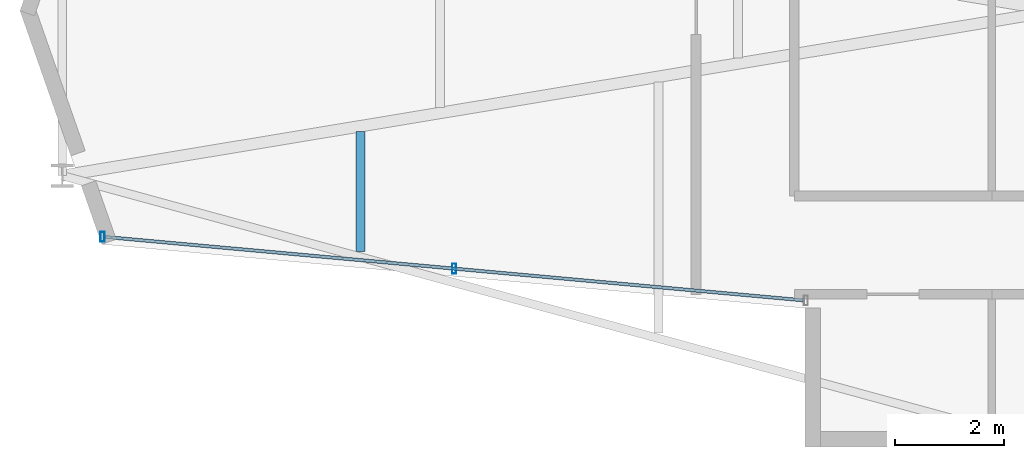
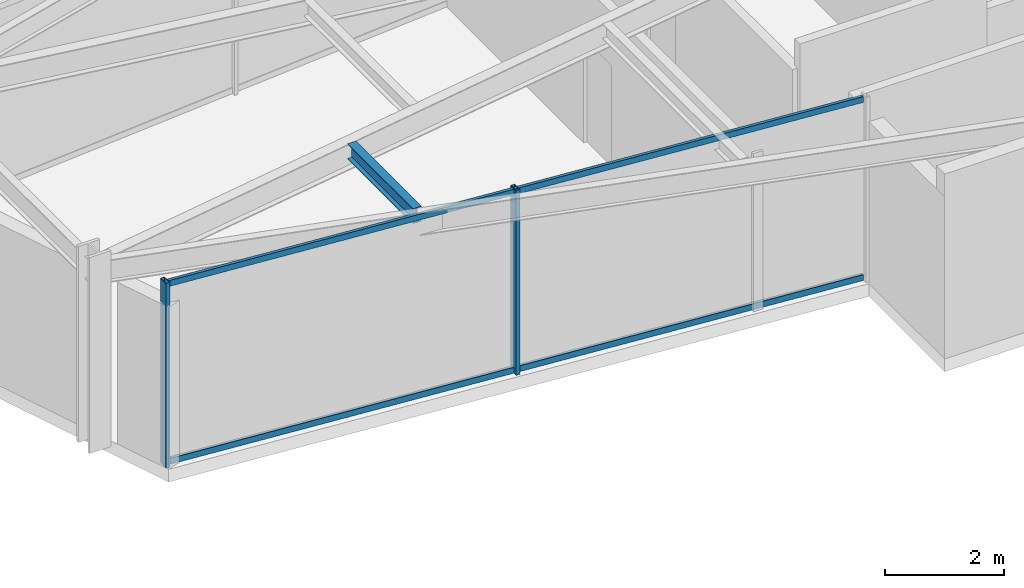
# One storey, part 2 of 23: 4 members, 1 beam, 1 element without a shape of its own.
"""IFC4 building model written with IfcOpenShell, lengths in metres."""

from ifc_helpers import new_model, si_unit, direction, frame, origin, origin_2d, place, context, subcontext, project, spatial, hollow_rectangle, i_section, extrude, material, layer, layer_set, material_profile, profile_set, type_object, element, aggregate, save


model = new_model("IFC4")

# Units and contexts
model_context = context("Model", 3, precision=1e-05, world=origin(), true_north=direction((0.0, 1.0)))
body_context = subcontext(model_context, "Body", "Model", "MODEL_VIEW")
ifc_project = project(units=[si_unit("LENGTHUNIT", "METRE"), si_unit("AREAUNIT", "SQUARE_METRE"), si_unit("VOLUMEUNIT", "CUBIC_METRE"), si_unit("PLANEANGLEUNIT", "RADIAN"), si_unit("MASSUNIT", "GRAM", prefix="KILO")], contexts=[model_context])

# Site, building, storey
site_placement = place(None, origin())
site = spatial("IfcSite", under=ifc_project, at=site_placement, CompositionType="ELEMENT")
building_placement = place(site_placement, origin())
building = spatial("IfcBuilding", under=site, at=building_placement, Name="Veymaron Broadcast Tower", CompositionType="ELEMENT")
storey_placement = place(building_placement, frame((0.0, 0.0, 195.89990234375)))
storey = spatial("IfcBuildingStorey", under=building, at=storey_placement, Name="L45", CompositionType="ELEMENT", Elevation=195.89990234375)

# Beam
ifc_material_1 = material(Name="Structural steel ASTM A992 Gr 50", Category="steel")
ifc_material_profile_1 = material_profile(ifc_material_1, i_section(OverallWidth=0.1650390625, OverallDepth=0.31005859375, WebThickness=0.005859375, FlangeThickness=0.009765625, at=origin_2d()), Name="W310X39")
ifc_profile_set_1 = profile_set([ifc_material_profile_1], Name="Structural steel ASTM A992 Gr 50")
beam_type = type_object("IfcBeamType", Name="BM-JS3", PredefinedType="JOIST", material=ifc_profile_set_1)
beam_placement = place(storey_placement, frame((18.4423828125, 19.58251953125, 3.635009765625), z_axis=(0.0, 1.0, 0.0), x_axis=(-1.0, 0.0, 0.0)))
element("IfcBeam", 1, at=beam_placement, inside=storey, type_object=beam_type, Name="L45 Arm-A secondary joist 1S", PredefinedType="JOIST", context=body_context, shape_type="SweptSolid", body=[
    extrude(i_section(OverallWidth=0.1650390625, OverallDepth=0.31005859375, WebThickness=0.005859375, FlangeThickness=0.009765625, at=origin_2d()), origin(), (0.0, 0.0, 1.0), 2.199951171875),
])

# Curtain wall, members
ifc_material_2 = material(Name="Anodised aluminium AA 6063-T6 and laminated low-E dark glass", Category="aluminium")
ifc_layer = layer(ifc_material_2, 0.179931640625)
ifc_layer_set = layer_set([ifc_layer], Name="Anodised aluminium AA 6063-T6 and laminated low-E dark glass")
curtain_wall_type = type_object("IfcCurtainWallType", Name="CW-SYS-05", PredefinedType="NOTDEFINED", material=ifc_layer_set)
curtain_wall_placement = place(storey_placement, origin())
curtain_wall = element("IfcCurtainWall", 2, at=curtain_wall_placement, inside=storey, type_object=curtain_wall_type, Name="L45 dark-glass curtain wall CW-L45-E14-1", PredefinedType="NOTDEFINED")
ifc_material_3 = material(Name="Anodised aluminium AA 6063-T6", Category="aluminium")
ifc_material_profile_2 = material_profile(ifc_material_3, hollow_rectangle(XDim=0.074951171875, YDim=0.179931640625, WallThickness=0.0048828125, at=origin_2d()), Name="AL180X75X5")
ifc_profile_set_2 = profile_set([ifc_material_profile_2], Name="Anodised aluminium AA 6063-T6")
member_type_1 = type_object("IfcMemberType", Name="CW-MUL-02", PredefinedType="MULLION", material=ifc_profile_set_2)
member_1_placement = place(storey_placement, frame((13.712646484375, 19.85595703125, 0.0), z_axis=(0.0, 0.0, 1.0), x_axis=(1.0, 0.0, 0.0)))
member_1 = element("IfcMember", 3, at=member_1_placement, type_object=member_type_1, Name="CW-L45-E14-1 mullion 0", PredefinedType="MULLION", context=body_context, shape_type="SweptSolid", body=[
    extrude(hollow_rectangle(XDim=0.074951171875, YDim=0.179931640625, WallThickness=0.0048828125, at=origin_2d()), origin(), (0.0, 0.0, 1.0), 3.7900390625),
])
member_2_placement = place(storey_placement, frame((20.16259765625, 19.270263671875, 0.0), z_axis=(0.0, 0.0, 1.0), x_axis=(1.0, 0.0, 0.0)))
member_2 = element("IfcMember", 4, at=member_2_placement, type_object=member_type_1, Name="CW-L45-E14-1 mullion 1", PredefinedType="MULLION", context=body_context, shape_type="SweptSolid", body=[
    extrude(hollow_rectangle(XDim=0.074951171875, YDim=0.179931640625, WallThickness=0.0048828125, at=origin_2d()), origin(), (0.0, 0.0, 1.0), 3.7900390625),
])
ifc_material_profile_3 = material_profile(ifc_material_3, hollow_rectangle(XDim=0.06005859375, YDim=0.1201171875, WallThickness=0.00390625, at=origin_2d()), Name="AL120X60X4")
ifc_profile_set_3 = profile_set([ifc_material_profile_3], Name="Anodised aluminium AA 6063-T6")
member_type_2 = type_object("IfcMemberType", Name="CW-TRN-02", PredefinedType="USERDEFINED", material=ifc_profile_set_3)
member_3_placement = place(storey_placement, frame((13.762451171875, 19.851318359375, 0.070068359375), z_axis=(0.995904253261, -0.090414148987, 0.0), x_axis=(0.090414148987, 0.995904253261, 0.0)))
member_3 = element("IfcMember", 5, at=member_3_placement, type_object=member_type_2, Name="CW-L45-E14-1 transom B", ObjectType="TRANSOM", PredefinedType="USERDEFINED", context=body_context, shape_type="SweptSolid", body=[
    extrude(hollow_rectangle(XDim=0.06005859375, YDim=0.1201171875, WallThickness=0.00390625, at=origin_2d()), origin(), (0.0, 0.0, 1.0), 12.853271484375),
])
member_4_placement = place(storey_placement, frame((13.762451171875, 19.851318359375, 3.72021484375), z_axis=(0.995904253261, -0.090414148987, 0.0), x_axis=(0.090414148987, 0.995904253261, 0.0)))
member_4 = element("IfcMember", 6, at=member_4_placement, type_object=member_type_2, Name="CW-L45-E14-1 transom T", ObjectType="TRANSOM", PredefinedType="USERDEFINED", context=body_context, shape_type="SweptSolid", body=[
    extrude(hollow_rectangle(XDim=0.06005859375, YDim=0.1201171875, WallThickness=0.00390625, at=origin_2d()), origin(), (0.0, 0.0, 1.0), 12.853271484375),
])
aggregate(curtain_wall, [member_1, member_2, member_3, member_4])

save(model, "model.ifc")
